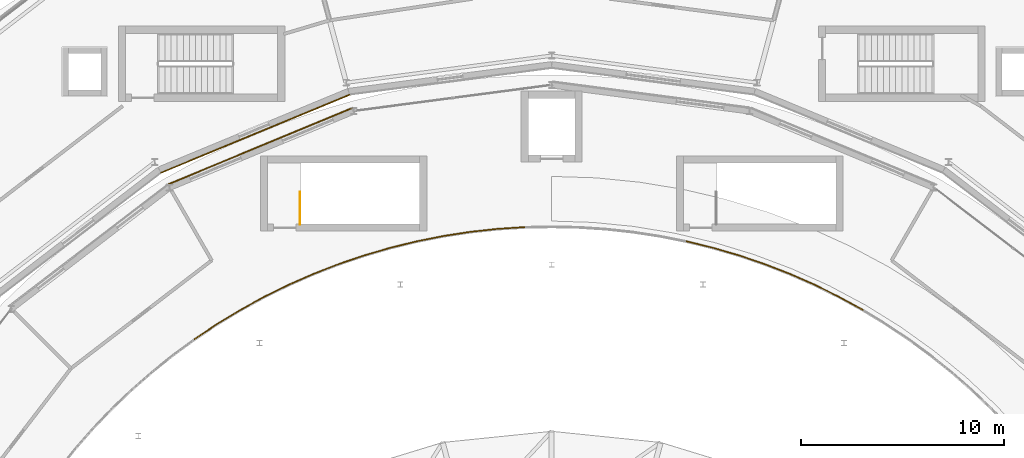
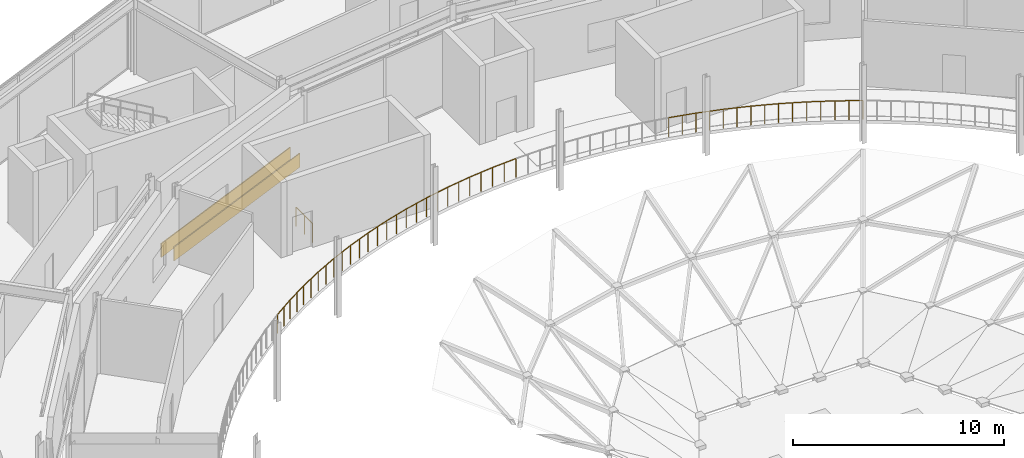
# One storey, part 108 of 116: 21 railings, 2 coverings.
"""IFC4 building model written with IfcOpenShell, lengths in metres."""

from ifc_helpers import new_model, si_unit, direction, frame, origin, origin_2d, place, context, subcontext, project, spatial, rectangle, circle, extrude, material, layer, layer_set, type_object, element, save


model = new_model("IFC4")

# Units and contexts
model_context = context("Model", 3, precision=1e-05, world=origin(), true_north=direction((0.0, 1.0)))
body_context = subcontext(model_context, "Body", "Model", "MODEL_VIEW")
ifc_project = project(units=[si_unit("LENGTHUNIT", "METRE"), si_unit("AREAUNIT", "SQUARE_METRE"), si_unit("VOLUMEUNIT", "CUBIC_METRE"), si_unit("PLANEANGLEUNIT", "RADIAN"), si_unit("MASSUNIT", "GRAM", prefix="KILO")], contexts=[model_context])

# Site, building, storey
site_placement = place(None, origin())
site = spatial("IfcSite", under=ifc_project, at=site_placement, CompositionType="ELEMENT")
building_placement = place(site_placement, origin())
building = spatial("IfcBuilding", under=site, at=building_placement, Name="Almandine Court Research Institute", CompositionType="ELEMENT")
storey_placement = place(building_placement, frame((0.0, 0.0, 14.35009765625)))
storey = spatial("IfcBuildingStorey", under=building, at=storey_placement, Name="L03", CompositionType="ELEMENT", Elevation=14.35009765625)

# Coverings
ifc_material_1 = material(Name="Extruded Cream-Ochre Seismic Terracotta Spandrel", Category="masonry")
ifc_layer = layer(ifc_material_1, 0.054931640625)
ifc_layer_set = layer_set([ifc_layer], Name="Extruded Cream-Ochre Seismic Terracotta Spandrel")
covering_type = type_object("IfcCoveringType", Name="Cov-CLAD-TERR", PredefinedType="CLADDING", material=ifc_layer_set)
covering_1_placement = place(storey_placement, frame((72.39697265625, 91.25390625, 0.02001953125), z_axis=(0.0, 0.0, 1.0), x_axis=(-0.923879532511, -0.382683432365, 0.0)))
element("IfcCovering", 1, at=covering_1_placement, inside=storey, type_object=covering_type, Name="L03 Facade Spandrel Cladding Band 389", PredefinedType="CLADDING", context=body_context, shape_type="SweptSolid", body=[
    extrude(rectangle(XDim=10.080078125, YDim=0.054931640625, at=origin_2d()), origin(), (0.0, 0.0, 1.0), 0.800048828125),
])
covering_2_placement = place(storey_placement, frame((72.64990234375, 90.64404296875, 0.02001953125), z_axis=(0.0, 0.0, 1.0), x_axis=(0.923879532511, 0.382683432365, 0.0)))
element("IfcCovering", 2, at=covering_2_placement, inside=storey, type_object=covering_type, Name="L03 Facade Spandrel Cladding Band 468", PredefinedType="CLADDING", context=body_context, shape_type="SweptSolid", body=[
    extrude(rectangle(XDim=9.821044921875, YDim=0.054931640625, at=origin_2d()), origin(), (0.0, 0.0, 1.0), 0.800048828125),
])

# Railings
ifc_material_2 = material(Name="Powder-Coated Steel Stair and Atrium Balustrade", Category="steel")
railing_type = type_object("IfcRailingType", Name="Rail-GUARD-INT", PredefinedType="BALUSTRADE", material=ifc_material_2)
railing_1_placement = place(storey_placement, frame((74.60009765625, 86.800048828125, 0.0)))
element("IfcRailing", 3, at=railing_1_placement, inside=storey, type_object=railing_type, Name="L03 ST-04 top well guard 1", PredefinedType="BALUSTRADE", context=body_context, shape_type="SweptSolid", body=[
    extrude(circle(Radius=0.02392578125, at=origin_2d()), frame((0.0, 0.0, 1.09619140625), z_axis=(0.0, 1.0, 0.0), x_axis=(-1.0, 0.0, 0.0)), (0.0, 0.0, 1.0), 1.579833984375),
    extrude(circle(Radius=0.02099609375, at=origin_2d()), origin(), (0.0, 0.0, 1.0), 1.072021484375),
    extrude(circle(Radius=0.02099609375, at=origin_2d()), frame((0.0, 0.7900390625, 0.0)), (0.0, 0.0, 1.0), 1.072021484375),
    extrude(circle(Radius=0.02099609375, at=origin_2d()), frame((0.0, 1.579833984375, 0.0)), (0.0, 0.0, 1.0), 1.072021484375),
])
railing_2_placement = place(storey_placement, frame((102.340087890625, 82.570068359375, 0.0)))
element("IfcRailing", 4, at=railing_2_placement, inside=storey, type_object=railing_type, Name="L03 Atrium Gallery Void Balustrade 025", PredefinedType="BALUSTRADE", context=body_context, shape_type="SweptSolid", body=[
    extrude(circle(Radius=0.02392578125, at=origin_2d()), frame((0.0, 0.0, 1.09619140625), z_axis=(-0.87713468479, 0.480244463517, 0.0), x_axis=(-0.480244463517, -0.87713468479, 0.0)), (0.0, 0.0, 1.0), 1.338623046875),
    extrude(circle(Radius=0.02099609375, at=origin_2d()), origin(), (0.0, 0.0, 1.0), 1.072021484375),
    extrude(circle(Radius=0.02099609375, at=origin_2d()), frame((-0.5869140625, 0.3212890625, 0.0)), (0.0, 0.0, 1.0), 1.072021484375),
    extrude(circle(Radius=0.02099609375, at=origin_2d()), frame((-1.174072265625, 0.642822265625, 0.0)), (0.0, 0.0, 1.0), 1.072021484375),
])
railing_3_placement = place(storey_placement, frame((101.166015625, 83.212890625, 0.0)))
element("IfcRailing", 5, at=railing_3_placement, inside=storey, type_object=railing_type, Name="L03 Atrium Gallery Void Balustrade 026", PredefinedType="BALUSTRADE", context=body_context, shape_type="SweptSolid", body=[
    extrude(circle(Radius=0.02392578125, at=origin_2d()), frame((0.0, 0.0, 1.09619140625), z_axis=(-0.896496884809, 0.443050037274, 0.0), x_axis=(-0.443050037274, -0.896496884809, 0.0)), (0.0, 0.0, 1.0), 1.33837890625),
    extrude(circle(Radius=0.02099609375, at=origin_2d()), origin(), (0.0, 0.0, 1.0), 1.072021484375),
    extrude(circle(Radius=0.02099609375, at=origin_2d()), frame((-0.60009765625, 0.29638671875, 0.0)), (0.0, 0.0, 1.0), 1.072021484375),
    extrude(circle(Radius=0.02099609375, at=origin_2d()), frame((-1.199951171875, 0.593017578125, 0.0)), (0.0, 0.0, 1.0), 1.072021484375),
])
railing_4_placement = place(storey_placement, frame((99.966064453125, 83.805908203125, 0.0)))
element("IfcRailing", 6, at=railing_4_placement, inside=storey, type_object=railing_type, Name="L03 Atrium Gallery Void Balustrade 027", PredefinedType="BALUSTRADE", context=body_context, shape_type="SweptSolid", body=[
    extrude(circle(Radius=0.02392578125, at=origin_2d()), frame((0.0, 0.0, 1.09619140625), z_axis=(-0.915309653097, 0.402750839784, 0.0), x_axis=(-0.402750839784, -0.915309653097, 0.0)), (0.0, 0.0, 1.0), 1.33837890625),
    extrude(circle(Radius=0.02099609375, at=origin_2d()), origin(), (0.0, 0.0, 1.0), 1.072021484375),
    extrude(circle(Radius=0.02099609375, at=origin_2d()), frame((-0.612548828125, 0.26953125, 0.0)), (0.0, 0.0, 1.0), 1.072021484375),
    extrude(circle(Radius=0.02099609375, at=origin_2d()), frame((-1.22509765625, 0.5390625, 0.0)), (0.0, 0.0, 1.0), 1.072021484375),
])
railing_5_placement = place(storey_placement, frame((98.740966796875, 84.344970703125, 0.0)))
element("IfcRailing", 7, at=railing_5_placement, inside=storey, type_object=railing_type, Name="L03 Atrium Gallery Void Balustrade 028", PredefinedType="BALUSTRADE", context=body_context, shape_type="SweptSolid", body=[
    extrude(circle(Radius=0.02392578125, at=origin_2d()), frame((0.0, 0.0, 1.09619140625), z_axis=(-0.932066249141, 0.362287878921, 0.0), x_axis=(-0.362287878921, -0.932066249141, 0.0)), (0.0, 0.0, 1.0), 1.339111328125),
    extrude(circle(Radius=0.02099609375, at=origin_2d()), origin(), (0.0, 0.0, 1.0), 1.072021484375),
    extrude(circle(Radius=0.02099609375, at=origin_2d()), frame((-0.6240234375, 0.24267578125, 0.0)), (0.0, 0.0, 1.0), 1.072021484375),
    extrude(circle(Radius=0.02099609375, at=origin_2d()), frame((-1.248046875, 0.485107421875, 0.0)), (0.0, 0.0, 1.0), 1.072021484375),
])
railing_6_placement = place(storey_placement, frame((97.492919921875, 84.830078125, 0.0)))
element("IfcRailing", 8, at=railing_6_placement, inside=storey, type_object=railing_type, Name="L03 Atrium Gallery Void Balustrade 029", PredefinedType="BALUSTRADE", context=body_context, shape_type="SweptSolid", body=[
    extrude(circle(Radius=0.02392578125, at=origin_2d()), frame((0.0, 0.0, 1.09619140625), z_axis=(-0.946953909402, 0.321369403441, 0.0), x_axis=(-0.321369403441, -0.946953909402, 0.0)), (0.0, 0.0, 1.0), 1.337890625),
    extrude(circle(Radius=0.02099609375, at=origin_2d()), origin(), (0.0, 0.0, 1.0), 1.072021484375),
    extrude(circle(Radius=0.02099609375, at=origin_2d()), frame((-0.63330078125, 0.21484375, 0.0)), (0.0, 0.0, 1.0), 1.072021484375),
    extrude(circle(Radius=0.02099609375, at=origin_2d()), frame((-1.266845703125, 0.429931640625, 0.0)), (0.0, 0.0, 1.0), 1.072021484375),
])
railing_7_placement = place(storey_placement, frame((96.22607421875, 85.260009765625, 0.0)))
element("IfcRailing", 9, at=railing_7_placement, inside=storey, type_object=railing_type, Name="L03 Atrium Gallery Void Balustrade 030", PredefinedType="BALUSTRADE", context=body_context, shape_type="SweptSolid", body=[
    extrude(circle(Radius=0.02392578125, at=origin_2d()), frame((0.0, 0.0, 1.09619140625), z_axis=(-0.959967313723, 0.28011204291, 0.0), x_axis=(-0.28011204291, -0.959967313723, 0.0)), (0.0, 0.0, 1.0), 1.3388671875),
    extrude(circle(Radius=0.02099609375, at=origin_2d()), origin(), (0.0, 0.0, 1.0), 1.072021484375),
    extrude(circle(Radius=0.02099609375, at=origin_2d()), frame((-0.642578125, 0.1875, 0.0)), (0.0, 0.0, 1.0), 1.072021484375),
    extrude(circle(Radius=0.02099609375, at=origin_2d()), frame((-1.28515625, 0.375, 0.0)), (0.0, 0.0, 1.0), 1.072021484375),
])
railing_8_placement = place(storey_placement, frame((94.94091796875, 85.635009765625, 0.0)))
element("IfcRailing", 10, at=railing_8_placement, inside=storey, type_object=railing_type, Name="L03 Atrium Gallery Void Balustrade 031", PredefinedType="BALUSTRADE", context=body_context, shape_type="SweptSolid", body=[
    extrude(circle(Radius=0.02392578125, at=origin_2d()), frame((0.0, 0.0, 1.09619140625), z_axis=(-0.971426097409, 0.237342236597, 0.0), x_axis=(-0.237342236597, -0.971426097409, 0.0)), (0.0, 0.0, 1.0), 1.33935546875),
    extrude(circle(Radius=0.02099609375, at=origin_2d()), origin(), (0.0, 0.0, 1.0), 1.072021484375),
    extrude(circle(Radius=0.02099609375, at=origin_2d()), frame((-0.650390625, 0.158935546875, 0.0)), (0.0, 0.0, 1.0), 1.072021484375),
    extrude(circle(Radius=0.02099609375, at=origin_2d()), frame((-1.301025390625, 0.31787109375, 0.0)), (0.0, 0.0, 1.0), 1.072021484375),
])
railing_9_placement = place(storey_placement, frame((85.662109375, 86.65087890625, 0.0)))
element("IfcRailing", 11, at=railing_9_placement, inside=storey, type_object=railing_type, Name="L03 Atrium Gallery Void Balustrade 038", PredefinedType="BALUSTRADE", context=body_context, shape_type="SweptSolid", body=[
    extrude(circle(Radius=0.02392578125, at=origin_2d()), frame((0.0, 0.0, 1.09619140625), z_axis=(-0.997843658164, -0.065635614277, 0.0), x_axis=(0.065635614277, -0.997843658164, 0.0)), (0.0, 0.0, 1.0), 1.339111328125),
    extrude(circle(Radius=0.02099609375, at=origin_2d()), origin(), (0.0, 0.0, 1.0), 1.072021484375),
    extrude(circle(Radius=0.02099609375, at=origin_2d()), frame((-0.66796875, -0.0439453125, 0.0)), (0.0, 0.0, 1.0), 1.072021484375),
    extrude(circle(Radius=0.02099609375, at=origin_2d()), frame((-1.336181640625, -0.087890625, 0.0)), (0.0, 0.0, 1.0), 1.072021484375),
])
railing_10_placement = place(storey_placement, frame((84.325927734375, 86.56298828125, 0.0)))
element("IfcRailing", 12, at=railing_10_placement, inside=storey, type_object=railing_type, Name="L03 Atrium Gallery Void Balustrade 039", PredefinedType="BALUSTRADE", context=body_context, shape_type="SweptSolid", body=[
    extrude(circle(Radius=0.02392578125, at=origin_2d()), frame((0.0, 0.0, 1.09619140625), z_axis=(-0.994115038789, -0.108329541926, 0.0), x_axis=(0.108329541926, -0.994115038789, 0.0)), (0.0, 0.0, 1.0), 1.338623046875),
    extrude(circle(Radius=0.02099609375, at=origin_2d()), origin(), (0.0, 0.0, 1.0), 1.072021484375),
    extrude(circle(Radius=0.02099609375, at=origin_2d()), frame((-0.66552734375, -0.072509765625, 0.0)), (0.0, 0.0, 1.0), 1.072021484375),
    extrude(circle(Radius=0.02099609375, at=origin_2d()), frame((-1.330810546875, -0.14501953125, 0.0)), (0.0, 0.0, 1.0), 1.072021484375),
])
railing_11_placement = place(storey_placement, frame((82.9951171875, 86.41796875, 0.0)))
element("IfcRailing", 13, at=railing_11_placement, inside=storey, type_object=railing_type, Name="L03 Atrium Gallery Void Balustrade 040", PredefinedType="BALUSTRADE", context=body_context, shape_type="SweptSolid", body=[
    extrude(circle(Radius=0.02392578125, at=origin_2d()), frame((0.0, 0.0, 1.09619140625), z_axis=(-0.988335826047, -0.152290166959, 0.0), x_axis=(0.152290166959, -0.988335826047, 0.0)), (0.0, 0.0, 1.0), 1.338623046875),
    extrude(circle(Radius=0.02099609375, at=origin_2d()), origin(), (0.0, 0.0, 1.0), 1.072021484375),
    extrude(circle(Radius=0.02099609375, at=origin_2d()), frame((-0.66162109375, -0.10205078125, 0.0)), (0.0, 0.0, 1.0), 1.072021484375),
    extrude(circle(Radius=0.02099609375, at=origin_2d()), frame((-1.322998046875, -0.203857421875, 0.0)), (0.0, 0.0, 1.0), 1.072021484375),
])
railing_12_placement = place(storey_placement, frame((81.672119140625, 86.214111328125, 0.0)))
element("IfcRailing", 14, at=railing_12_placement, inside=storey, type_object=railing_type, Name="L03 Atrium Gallery Void Balustrade 041", PredefinedType="BALUSTRADE", context=body_context, shape_type="SweptSolid", body=[
    extrude(circle(Radius=0.02392578125, at=origin_2d()), frame((0.0, 0.0, 1.09619140625), z_axis=(-0.980748774398, -0.19527376044, 0.0), x_axis=(0.19527376044, -0.980748774398, 0.0)), (0.0, 0.0, 1.0), 1.337646484375),
    extrude(circle(Radius=0.02099609375, at=origin_2d()), origin(), (0.0, 0.0, 1.0), 1.072021484375),
    extrude(circle(Radius=0.02099609375, at=origin_2d()), frame((-0.656005859375, -0.130615234375, 0.0)), (0.0, 0.0, 1.0), 1.072021484375),
    extrude(circle(Radius=0.02099609375, at=origin_2d()), frame((-1.31201171875, -0.26123046875, 0.0)), (0.0, 0.0, 1.0), 1.072021484375),
])
railing_13_placement = place(storey_placement, frame((80.360107421875, 85.952880859375, 0.0)))
element("IfcRailing", 15, at=railing_13_placement, inside=storey, type_object=railing_type, Name="L03 Atrium Gallery Void Balustrade 042", PredefinedType="BALUSTRADE", context=body_context, shape_type="SweptSolid", body=[
    extrude(circle(Radius=0.02392578125, at=origin_2d()), frame((0.0, 0.0, 1.09619140625), z_axis=(-0.971426097409, -0.237342236597, 0.0), x_axis=(0.237342236597, -0.971426097409, 0.0)), (0.0, 0.0, 1.0), 1.33935546875),
    extrude(circle(Radius=0.02099609375, at=origin_2d()), origin(), (0.0, 0.0, 1.0), 1.072021484375),
    extrude(circle(Radius=0.02099609375, at=origin_2d()), frame((-0.650390625, -0.158935546875, 0.0)), (0.0, 0.0, 1.0), 1.072021484375),
    extrude(circle(Radius=0.02099609375, at=origin_2d()), frame((-1.301025390625, -0.31787109375, 0.0)), (0.0, 0.0, 1.0), 1.072021484375),
])
railing_14_placement = place(storey_placement, frame((79.05908203125, 85.635009765625, 0.0)))
element("IfcRailing", 16, at=railing_14_placement, inside=storey, type_object=railing_type, Name="L03 Atrium Gallery Void Balustrade 043", PredefinedType="BALUSTRADE", context=body_context, shape_type="SweptSolid", body=[
    extrude(circle(Radius=0.02392578125, at=origin_2d()), frame((0.0, 0.0, 1.09619140625), z_axis=(-0.959967313723, -0.28011204291, 0.0), x_axis=(0.28011204291, -0.959967313723, 0.0)), (0.0, 0.0, 1.0), 1.3388671875),
    extrude(circle(Radius=0.02099609375, at=origin_2d()), origin(), (0.0, 0.0, 1.0), 1.072021484375),
    extrude(circle(Radius=0.02099609375, at=origin_2d()), frame((-0.642578125, -0.1875, 0.0)), (0.0, 0.0, 1.0), 1.072021484375),
    extrude(circle(Radius=0.02099609375, at=origin_2d()), frame((-1.28515625, -0.375, 0.0)), (0.0, 0.0, 1.0), 1.072021484375),
])
railing_15_placement = place(storey_placement, frame((77.77392578125, 85.260009765625, 0.0)))
element("IfcRailing", 17, at=railing_15_placement, inside=storey, type_object=railing_type, Name="L03 Atrium Gallery Void Balustrade 044", PredefinedType="BALUSTRADE", context=body_context, shape_type="SweptSolid", body=[
    extrude(circle(Radius=0.02392578125, at=origin_2d()), frame((0.0, 0.0, 1.09619140625), z_axis=(-0.946953909402, -0.321369403441, 0.0), x_axis=(0.321369403441, -0.946953909402, 0.0)), (0.0, 0.0, 1.0), 1.337890625),
    extrude(circle(Radius=0.02099609375, at=origin_2d()), origin(), (0.0, 0.0, 1.0), 1.072021484375),
    extrude(circle(Radius=0.02099609375, at=origin_2d()), frame((-0.63330078125, -0.21484375, 0.0)), (0.0, 0.0, 1.0), 1.072021484375),
    extrude(circle(Radius=0.02099609375, at=origin_2d()), frame((-1.266845703125, -0.429931640625, 0.0)), (0.0, 0.0, 1.0), 1.072021484375),
])
railing_16_placement = place(storey_placement, frame((76.507080078125, 84.830078125, 0.0)))
element("IfcRailing", 18, at=railing_16_placement, inside=storey, type_object=railing_type, Name="L03 Atrium Gallery Void Balustrade 045", PredefinedType="BALUSTRADE", context=body_context, shape_type="SweptSolid", body=[
    extrude(circle(Radius=0.02392578125, at=origin_2d()), frame((0.0, 0.0, 1.09619140625), z_axis=(-0.932066249141, -0.362287878921, 0.0), x_axis=(0.362287878921, -0.932066249141, 0.0)), (0.0, 0.0, 1.0), 1.339111328125),
    extrude(circle(Radius=0.02099609375, at=origin_2d()), origin(), (0.0, 0.0, 1.0), 1.072021484375),
    extrude(circle(Radius=0.02099609375, at=origin_2d()), frame((-0.6240234375, -0.24267578125, 0.0)), (0.0, 0.0, 1.0), 1.072021484375),
    extrude(circle(Radius=0.02099609375, at=origin_2d()), frame((-1.248046875, -0.485107421875, 0.0)), (0.0, 0.0, 1.0), 1.072021484375),
])
railing_17_placement = place(storey_placement, frame((75.259033203125, 84.344970703125, 0.0)))
element("IfcRailing", 19, at=railing_17_placement, inside=storey, type_object=railing_type, Name="L03 Atrium Gallery Void Balustrade 046", PredefinedType="BALUSTRADE", context=body_context, shape_type="SweptSolid", body=[
    extrude(circle(Radius=0.02392578125, at=origin_2d()), frame((0.0, 0.0, 1.09619140625), z_axis=(-0.915309653097, -0.402750839784, 0.0), x_axis=(0.402750839784, -0.915309653097, 0.0)), (0.0, 0.0, 1.0), 1.33837890625),
    extrude(circle(Radius=0.02099609375, at=origin_2d()), origin(), (0.0, 0.0, 1.0), 1.072021484375),
    extrude(circle(Radius=0.02099609375, at=origin_2d()), frame((-0.612548828125, -0.26953125, 0.0)), (0.0, 0.0, 1.0), 1.072021484375),
    extrude(circle(Radius=0.02099609375, at=origin_2d()), frame((-1.22509765625, -0.5390625, 0.0)), (0.0, 0.0, 1.0), 1.072021484375),
])
railing_18_placement = place(storey_placement, frame((74.033935546875, 83.805908203125, 0.0)))
element("IfcRailing", 20, at=railing_18_placement, inside=storey, type_object=railing_type, Name="L03 Atrium Gallery Void Balustrade 047", PredefinedType="BALUSTRADE", context=body_context, shape_type="SweptSolid", body=[
    extrude(circle(Radius=0.02392578125, at=origin_2d()), frame((0.0, 0.0, 1.09619140625), z_axis=(-0.896496884809, -0.443050037274, 0.0), x_axis=(0.443050037274, -0.896496884809, 0.0)), (0.0, 0.0, 1.0), 1.33837890625),
    extrude(circle(Radius=0.02099609375, at=origin_2d()), origin(), (0.0, 0.0, 1.0), 1.072021484375),
    extrude(circle(Radius=0.02099609375, at=origin_2d()), frame((-0.60009765625, -0.29638671875, 0.0)), (0.0, 0.0, 1.0), 1.072021484375),
    extrude(circle(Radius=0.02099609375, at=origin_2d()), frame((-1.199951171875, -0.593017578125, 0.0)), (0.0, 0.0, 1.0), 1.072021484375),
])
railing_19_placement = place(storey_placement, frame((72.833984375, 83.212890625, 0.0)))
element("IfcRailing", 21, at=railing_19_placement, inside=storey, type_object=railing_type, Name="L03 Atrium Gallery Void Balustrade 048", PredefinedType="BALUSTRADE", context=body_context, shape_type="SweptSolid", body=[
    extrude(circle(Radius=0.02392578125, at=origin_2d()), frame((0.0, 0.0, 1.09619140625), z_axis=(-0.87713468479, -0.480244463517, 0.0), x_axis=(0.480244463517, -0.87713468479, 0.0)), (0.0, 0.0, 1.0), 1.338623046875),
    extrude(circle(Radius=0.02099609375, at=origin_2d()), origin(), (0.0, 0.0, 1.0), 1.072021484375),
    extrude(circle(Radius=0.02099609375, at=origin_2d()), frame((-0.5869140625, -0.3212890625, 0.0)), (0.0, 0.0, 1.0), 1.072021484375),
    extrude(circle(Radius=0.02099609375, at=origin_2d()), frame((-1.174072265625, -0.642822265625, 0.0)), (0.0, 0.0, 1.0), 1.072021484375),
])
railing_20_placement = place(storey_placement, frame((71.659912109375, 82.570068359375, 0.0)))
element("IfcRailing", 22, at=railing_20_placement, inside=storey, type_object=railing_type, Name="L03 Atrium Gallery Void Balustrade 049", PredefinedType="BALUSTRADE", context=body_context, shape_type="SweptSolid", body=[
    extrude(circle(Radius=0.02392578125, at=origin_2d()), frame((0.0, 0.0, 1.09619140625), z_axis=(-0.854582260475, -0.519316050282, 0.0), x_axis=(0.519316050282, -0.854582260475, 0.0)), (0.0, 0.0, 1.0), 1.33837890625),
    extrude(circle(Radius=0.02099609375, at=origin_2d()), origin(), (0.0, 0.0, 1.0), 1.072021484375),
    extrude(circle(Radius=0.02099609375, at=origin_2d()), frame((-0.57177734375, -0.34765625, 0.0)), (0.0, 0.0, 1.0), 1.072021484375),
    extrude(circle(Radius=0.02099609375, at=origin_2d()), frame((-1.143798828125, -0.695068359375, 0.0)), (0.0, 0.0, 1.0), 1.072021484375),
])
railing_21_placement = place(storey_placement, frame((70.51611328125, 81.875, 0.0)))
element("IfcRailing", 23, at=railing_21_placement, inside=storey, type_object=railing_type, Name="L03 Atrium Gallery Void Balustrade 050", PredefinedType="BALUSTRADE", context=body_context, shape_type="SweptSolid", body=[
    extrude(circle(Radius=0.02392578125, at=origin_2d()), frame((0.0, 0.0, 1.09619140625), z_axis=(-0.831741421781, -0.555163225812, 0.0), x_axis=(0.555163225812, -0.831741421781, 0.0)), (0.0, 0.0, 1.0), 1.338134765625),
    extrude(circle(Radius=0.02099609375, at=origin_2d()), origin(), (0.0, 0.0, 1.0), 1.072021484375),
    extrude(circle(Radius=0.02099609375, at=origin_2d()), frame((-0.556640625, -0.37158203125, 0.0)), (0.0, 0.0, 1.0), 1.072021484375),
    extrude(circle(Radius=0.02099609375, at=origin_2d()), frame((-1.113037109375, -0.742919921875, 0.0)), (0.0, 0.0, 1.0), 1.072021484375),
])

save(model, "model.ifc")
